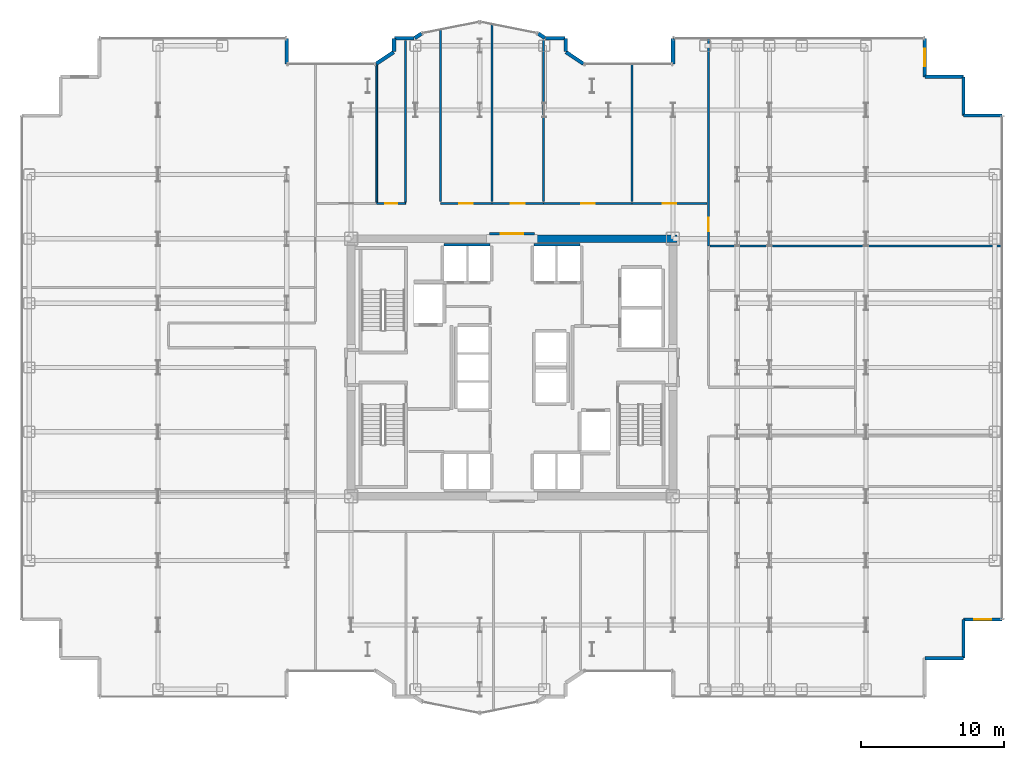
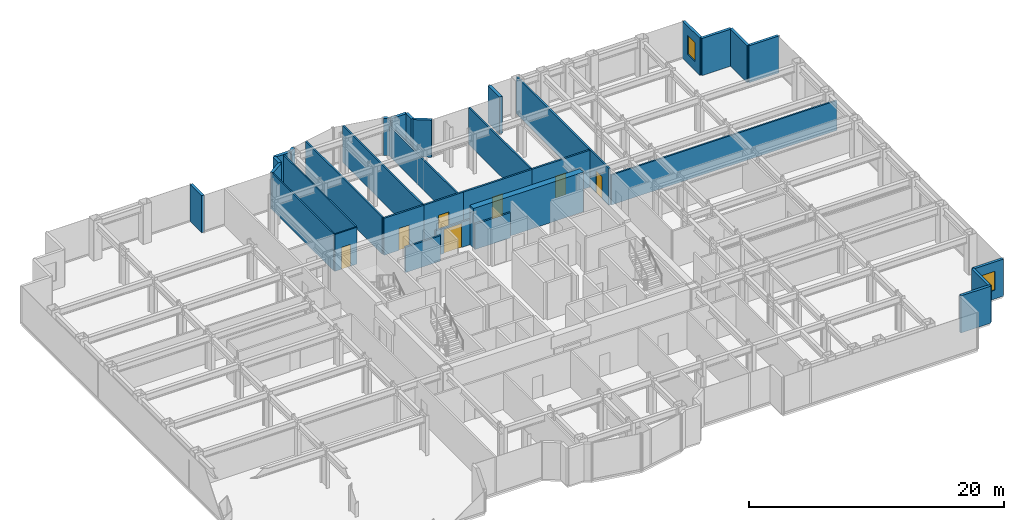
# One storey, part 24 of 26: 34 walls, 7 doors, 2 windows, 9 openings.
"""IFC4 building model written with IfcOpenShell, lengths in metres."""

from ifc_helpers import new_model, si_unit, direction, frame, frame_2d, origin, place, context, subcontext, project, spatial, rectangle, extrude, source, transform, mapped, material, layer, layer_set, type_object, element, fill, save


model = new_model("IFC4")

# Units and contexts
model_context = context("Model", 3, precision=1e-05, world=origin(), true_north=direction((0.0, 1.0)))
body_context = subcontext(model_context, "Body", "Model", "MODEL_VIEW")
ifc_project = project(units=[si_unit("LENGTHUNIT", "METRE"), si_unit("AREAUNIT", "SQUARE_METRE"), si_unit("VOLUMEUNIT", "CUBIC_METRE"), si_unit("PLANEANGLEUNIT", "RADIAN"), si_unit("MASSUNIT", "GRAM", prefix="KILO")], contexts=[model_context])

# Site, building, storey
site_placement = place(None, origin())
site = spatial("IfcSite", under=ifc_project, at=site_placement, CompositionType="ELEMENT")
building_placement = place(site_placement, origin())
building = spatial("IfcBuilding", under=site, at=building_placement, Name="Nefas-Gora Pilgrimage Tower", CompositionType="ELEMENT")
storey_placement = place(building_placement, frame((0.0, 0.0, 132.60009765625)))
storey = spatial("IfcBuildingStorey", under=building, at=storey_placement, Name="L32", CompositionType="ELEMENT", Elevation=132.60009765625)

# Walls
ifc_material_1 = material(Name="Concrete C60/75", Category="concrete")
ifc_layer_1 = layer(ifc_material_1, 0.550048828125)
ifc_layer_set_1 = layer_set([ifc_layer_1], Name="Concrete C60/75")
wall_type_1 = type_object("IfcWallType", Name="SW-CORE-550", PredefinedType="SHEAR", material=ifc_layer_set_1)
shared_shape_1 = source(origin(), body_context, "Body", "SweptSolid", [
    extrude(rectangle(XDim=9.974853515625, YDim=0.550048828125, at=frame_2d((4.9873046875, 0.0))), origin(), (0.0, 0.0, 1.0), 3.7998046875),
])
wall_1_placement = place(storey_placement, frame((1.550048828125, 9.0, 0.0), z_axis=(0.0, 0.0, 1.0), x_axis=(1.0, 0.0, 0.0)))
element("IfcWall", 1, at=wall_1_placement, inside=storey, type_object=wall_type_1, Name="L32 Core Shear Wall N-East", PredefinedType="SHEAR", context=body_context, shape_type="MappedRepresentation", body=[
    mapped(shared_shape_1, transform((0.0, 0.0, 0.0), x_axis=(1.0, 0.0, 0.0), y_axis=(0.0, 1.0, 0.0), z_axis=(0.0, 0.0, 1.0), scale=1.0)),
])
ifc_material_2 = material(Name="Precast concrete C40/50", Category="concrete")
ifc_layer_2 = layer(ifc_material_2, 0.260009765625)
ifc_layer_set_2 = layer_set([ifc_layer_2], Name="Precast concrete C40/50")
wall_type_2 = type_object("IfcWallType", Name="EW-PORTAL-260", PredefinedType="SOLIDWALL", material=ifc_layer_set_2)
shared_shape_2 = source(origin(), body_context, "Body", "SweptSolid", [
    extrude(rectangle(XDim=1.800048828125, YDim=0.260009765625, at=frame_2d((0.89990234375, 0.0))), origin(), (0.0, 0.0, 1.0), 3.5498046875),
])
for number, where, z_axis, x_axis, name in (
    (2, (11.25, 23.02001953125, 0.0), (0.0, 0.0, 1.0), (0.0, -1.0, 0.0), "L32 Lobe Shoulder Precast Spandrel Pier 10"),
    (3, (-15.75, 21.219970703125, 0.0), (0.0, 0.0, 1.0), (0.0, 1.0, 0.0), "L32 Lobe Shoulder Precast Spandrel Pier 19"),
):
    element("IfcWall", number, at=place(storey_placement, frame(where, z_axis=z_axis, x_axis=x_axis)), inside=storey, type_object=wall_type_2, Name=name, PredefinedType="SOLIDWALL", context=body_context, shape_type="MappedRepresentation", body=[
        mapped(shared_shape_2, transform((0.0, 0.0, 0.0), x_axis=(1.0, 0.0, 0.0), y_axis=(0.0, 1.0, 0.0), z_axis=(0.0, 0.0, 1.0), scale=1.0)),
    ])
ifc_material_3 = material(Name="Precast concrete C45/55", Category="concrete")
ifc_layer_3 = layer(ifc_material_3, 0.239990234375)
ifc_layer_set_3 = layer_set([ifc_layer_3], Name="Precast concrete C45/55")
wall_type_3 = type_object("IfcWallType", Name="EW-SERR-240", PredefinedType="SHEAR", material=ifc_layer_set_3)
shared_shape_3 = source(origin(), body_context, "Body", "SweptSolid", [
    extrude(rectangle(XDim=2.699951171875, YDim=0.239990234375, at=frame_2d((1.35009765625, 0.0))), origin(), (0.0, 0.0, 1.0), 3.5498046875),
])
for number, where, z_axis, x_axis, name in (
    (4, (28.8701171875, -20.320068359375, 0.0), (0.0, 0.0, 1.0), (1.0, 0.0, 0.0), "L32 Serrated Corner Shear Pier Wall 3"),
    (5, (31.570068359375, -20.320068359375, 0.0), (0.0, 0.0, 1.0), (0.0, 1.0, 0.0), "L32 Serrated Corner Shear Pier Wall 4"),
):
    element("IfcWall", number, at=place(storey_placement, frame(where, z_axis=z_axis, x_axis=x_axis)), inside=storey, type_object=wall_type_3, Name=name, PredefinedType="SHEAR", context=body_context, shape_type="MappedRepresentation", body=[
        mapped(shared_shape_3, transform((0.0, 0.0, 0.0), x_axis=(1.0, 0.0, 0.0), y_axis=(0.0, 1.0, 0.0), z_axis=(0.0, 0.0, 1.0), scale=1.0)),
    ])

# Wall, opening, window
wall_2_placement = place(storey_placement, frame((31.570068359375, -17.6201171875, 0.0), z_axis=(0.0, 0.0, 1.0), x_axis=(1.0, 0.0, 0.0)))
wall_2 = element("IfcWall", 6, at=wall_2_placement, inside=storey, type_object=wall_type_3, Name="L32 Serrated Corner Shear Pier Wall 5", PredefinedType="SHEAR", context=body_context, shape_type="MappedRepresentation", body=[
    mapped(shared_shape_3, transform((0.0, 0.0, 0.0), x_axis=(1.0, 0.0, 0.0), y_axis=(0.0, 1.0, 0.0), z_axis=(0.0, 0.0, 1.0), scale=1.0)),
])
opening_1_placement = place(wall_2_placement, frame((0.75, 0.0, 0.85009765625)))
opening_1 = element("IfcOpeningElement", 7, at=opening_1_placement, cuts=wall_2, Name="Opening W-V1", PredefinedType="OPENING", context=body_context, shape_type="SweptSolid", body=[
    extrude(rectangle(XDim=1.199951171875, YDim=1.800048828125, at=frame_2d((0.60009765625, 0.89990234375))), frame((0.0, 0.1298828125, 0.0), z_axis=(0.0, -1.0, 0.0), x_axis=(1.0, 0.0, 0.0)), (0.0, 0.0, 1.0), 0.260009765625),
])
ifc_material_4 = material(Name="Dark ceramic-fritted operable aluminium-glass window", Category="aluminium")
window_type = type_object("IfcWindowType", Name="WIN-VENT-1200x1800", PartitioningType="SINGLE_PANEL", PredefinedType="WINDOW", material=ifc_material_4)
shared_shape_4 = source(origin(), body_context, "Body", "SweptSolid", [
    extrude(rectangle(XDim=1.199951171875, YDim=1.800048828125, at=frame_2d((0.60009765625, 0.89990234375))), frame((0.0, 0.030029296875, 0.0), z_axis=(0.0, -1.0, 0.0), x_axis=(1.0, 0.0, 0.0)), (0.0, 0.0, 1.0), 0.06005859375),
])
window_1_placement = place(opening_1_placement, origin())
window_1 = element("IfcWindow", 8, at=window_1_placement, inside=storey, type_object=window_type, Name="L32 Operable Parallel-Outswing Window 5", OverallHeight=1.800048828125, OverallWidth=1.199951171875, PartitioningType="SINGLE_PANEL", PredefinedType="WINDOW", context=body_context, shape_type="MappedRepresentation", body=[
    mapped(shared_shape_4, transform((0.0, 0.0, 0.0), x_axis=(1.0, 0.0, 0.0), y_axis=(0.0, 1.0, 0.0), z_axis=(0.0, 0.0, 1.0), scale=1.0)),
])
fill(opening_1, window_1)

# Walls
for number, where, z_axis, x_axis, name in (
    (9, (34.27001953125, 17.6201171875, 0.0), (0.0, 0.0, 1.0), (-1.0, 0.0, 0.0), "L32 Serrated Corner Shear Pier Wall 6"),
    (10, (31.570068359375, 17.6201171875, 0.0), (0.0, 0.0, 1.0), (0.0, 1.0, 0.0), "L32 Serrated Corner Shear Pier Wall 7"),
    (11, (31.570068359375, 20.320068359375, 0.0), (0.0, 0.0, 1.0), (-1.0, 0.0, 0.0), "L32 Serrated Corner Shear Pier Wall 8"),
):
    element("IfcWall", number, at=place(storey_placement, frame(where, z_axis=z_axis, x_axis=x_axis)), inside=storey, type_object=wall_type_3, Name=name, PredefinedType="SHEAR", context=body_context, shape_type="MappedRepresentation", body=[
        mapped(shared_shape_3, transform((0.0, 0.0, 0.0), x_axis=(1.0, 0.0, 0.0), y_axis=(0.0, 1.0, 0.0), z_axis=(0.0, 0.0, 1.0), scale=1.0)),
    ])

# Wall, opening, window
wall_3_placement = place(storey_placement, frame((28.8701171875, 20.320068359375, 0.0), z_axis=(0.0, 0.0, 1.0), x_axis=(0.0, 1.0, 0.0)))
wall_3 = element("IfcWall", 12, at=wall_3_placement, inside=storey, type_object=wall_type_3, Name="L32 Serrated Corner Shear Pier Wall 9", PredefinedType="SHEAR", context=body_context, shape_type="MappedRepresentation", body=[
    mapped(shared_shape_3, transform((0.0, 0.0, 0.0), x_axis=(1.0, 0.0, 0.0), y_axis=(0.0, 1.0, 0.0), z_axis=(0.0, 0.0, 1.0), scale=1.0)),
])
opening_2_placement = place(wall_3_placement, frame((0.75, 0.0, 0.85009765625)))
opening_2 = element("IfcOpeningElement", 13, at=opening_2_placement, cuts=wall_3, Name="Opening W-V1", PredefinedType="OPENING", context=body_context, shape_type="SweptSolid", body=[
    extrude(rectangle(XDim=1.199951171875, YDim=1.800048828125, at=frame_2d((0.60009765625, 0.89990234375))), frame((0.0, 0.1298828125, 0.0), z_axis=(0.0, -1.0, 0.0), x_axis=(1.0, 0.0, 0.0)), (0.0, 0.0, 1.0), 0.260009765625),
])
window_2_placement = place(opening_2_placement, origin())
window_2 = element("IfcWindow", 14, at=window_2_placement, inside=storey, type_object=window_type, Name="L32 Operable Parallel-Outswing Window 9", OverallHeight=1.800048828125, OverallWidth=1.199951171875, PartitioningType="SINGLE_PANEL", PredefinedType="WINDOW", context=body_context, shape_type="MappedRepresentation", body=[
    mapped(shared_shape_4, transform((0.0, 0.0, 0.0), x_axis=(1.0, 0.0, 0.0), y_axis=(0.0, 1.0, 0.0), z_axis=(0.0, 0.0, 1.0), scale=1.0)),
])
fill(opening_2, window_2)

# Walls
shared_shape_5 = source(origin(), body_context, "Body", "SweptSolid", [
    extrude(rectangle(XDim=1.468994140625, YDim=0.260009765625, at=frame_2d((0.734375, 0.0))), origin(), (0.0, 0.0, 1.0), 3.5498046875),
])
for number, where, z_axis, x_axis, name in (
    (15, (4.99462890625, 21.235595703125, 0.0), (0.0, 0.0, 1.0), (-0.831461760506, 0.555581983884, 0.0), "L32 Lobe Shoulder Precast Spandrel Pier 11"),
    (16, (-8.273193359375, 22.0517578125, 0.0), (0.0, 0.0, 1.0), (-0.831461760506, -0.555581983884, 0.0), "L32 Lobe Shoulder Precast Spandrel Pier 18"),
):
    element("IfcWall", number, at=place(storey_placement, frame(where, z_axis=z_axis, x_axis=x_axis)), inside=storey, type_object=wall_type_2, Name=name, PredefinedType="SOLIDWALL", context=body_context, shape_type="MappedRepresentation", body=[
        mapped(shared_shape_5, transform((0.0, 0.0, 0.0), x_axis=(1.0, 0.0, 0.0), y_axis=(0.0, 1.0, 0.0), z_axis=(0.0, 0.0, 1.0), scale=1.0)),
    ])
shared_shape_6 = source(origin(), body_context, "Body", "SweptSolid", [
    extrude(rectangle(XDim=0.896728515625, YDim=0.260009765625, at=frame_2d((0.4482421875, 0.0))), origin(), (0.0, 0.0, 1.0), 3.5498046875),
])
for number, where, z_axis, x_axis, name in (
    (17, (3.75, 22.09521484375, 0.0), (0.0, 0.0, 1.0), (0.0, 1.0, 0.0), "L32 Lobe Shoulder Precast Spandrel Pier 12"),
    (18, (-8.25, 22.991943359375, 0.0), (0.0, 0.0, 1.0), (0.0, -1.0, 0.0), "L32 Lobe Shoulder Precast Spandrel Pier 17"),
):
    element("IfcWall", number, at=place(storey_placement, frame(where, z_axis=z_axis, x_axis=x_axis)), inside=storey, type_object=wall_type_2, Name=name, PredefinedType="SOLIDWALL", context=body_context, shape_type="MappedRepresentation", body=[
        mapped(shared_shape_6, transform((0.0, 0.0, 0.0), x_axis=(1.0, 0.0, 0.0), y_axis=(0.0, 1.0, 0.0), z_axis=(0.0, 0.0, 1.0), scale=1.0)),
    ])
shared_shape_7 = source(origin(), body_context, "Body", "SweptSolid", [
    extrude(rectangle(XDim=1.369873046875, YDim=0.260009765625, at=frame_2d((0.68505859375, 0.0))), origin(), (0.0, 0.0, 1.0), 3.5498046875),
])
for number, where, z_axis, x_axis, name in (
    (19, (3.721923828125, 23.02001953125, 0.0), (0.0, 0.0, 1.0), (-1.0, 0.0, 0.0), "L32 Lobe Shoulder Precast Spandrel Pier 13"),
    (20, (-6.85205078125, 23.02001953125, 0.0), (0.0, 0.0, 1.0), (-1.0, 0.0, 0.0), "L32 Lobe Shoulder Precast Spandrel Pier 16"),
):
    element("IfcWall", number, at=place(storey_placement, frame(where, z_axis=z_axis, x_axis=x_axis)), inside=storey, type_object=wall_type_2, Name=name, PredefinedType="SOLIDWALL", context=body_context, shape_type="MappedRepresentation", body=[
        mapped(shared_shape_7, transform((0.0, 0.0, 0.0), x_axis=(1.0, 0.0, 0.0), y_axis=(0.0, 1.0, 0.0), z_axis=(0.0, 0.0, 1.0), scale=1.0)),
    ])
shared_shape_8 = source(origin(), body_context, "Body", "SweptSolid", [
    extrude(rectangle(XDim=0.5654296875, YDim=0.260009765625, at=frame_2d((0.28271484375, 0.0))), origin(), (0.0, 0.0, 1.0), 3.5498046875),
])
for number, where, z_axis, x_axis, name in (
    (21, (2.30078125, 23.03564453125, 0.0), (0.0, 0.0, 1.0), (-0.831651492666, 0.555297933317, 0.0), "L32 Lobe Shoulder Precast Spandrel Pier 14"),
    (22, (-6.33056640625, 23.349609375, 0.0), (0.0, 0.0, 1.0), (-0.831651492666, -0.555297933317, 0.0), "L32 Lobe Shoulder Precast Spandrel Pier 15"),
):
    element("IfcWall", number, at=place(storey_placement, frame(where, z_axis=z_axis, x_axis=x_axis)), inside=storey, type_object=wall_type_2, Name=name, PredefinedType="SOLIDWALL", context=body_context, shape_type="MappedRepresentation", body=[
        mapped(shared_shape_8, transform((0.0, 0.0, 0.0), x_axis=(1.0, 0.0, 0.0), y_axis=(0.0, 1.0, 0.0), z_axis=(0.0, 0.0, 1.0), scale=1.0)),
    ])
ifc_material_5 = material(Name="Gypsum acoustic stud partition")
ifc_layer_4 = layer(ifc_material_5, 0.159912109375)
ifc_layer_set_4 = layer_set([ifc_layer_4], Name="Gypsum acoustic stud partition")
wall_type_4 = type_object("IfcWallType", Name="IW-CORR-160", PredefinedType="PARTITIONING", material=ifc_layer_set_4)
shared_shape_9 = source(origin(), body_context, "Body", "SweptSolid", [
    extrude(rectangle(XDim=3.199951171875, YDim=0.159912109375, at=frame_2d((1.60009765625, 0.0))), origin(), (0.0, 0.0, 1.0), 2.4248046875),
])
for number, where, z_axis, x_axis, name in (
    (23, (-1.550048828125, 8.580078125, 0.0), (0.0, 0.0, 1.0), (-1.0, 0.0, 0.0), "L32 Hoistway Wall PL1-W-N"),
    (24, (4.75, 8.580078125, 0.0), (0.0, 0.0, 1.0), (-1.0, 0.0, 0.0), "L32 Hoistway Wall PL1-E-N"),
):
    element("IfcWall", number, at=place(storey_placement, frame(where, z_axis=z_axis, x_axis=x_axis)), inside=storey, type_object=wall_type_4, Name=name, PredefinedType="PARTITIONING", context=body_context, shape_type="MappedRepresentation", body=[
        mapped(shared_shape_9, transform((0.0, 0.0, 0.0), x_axis=(1.0, 0.0, 0.0), y_axis=(0.0, 1.0, 0.0), z_axis=(0.0, 0.0, 1.0), scale=1.0)),
    ])

# Wall, opening, door
ifc_material_6 = material(Name="Moisture-resistant fire-rated gypsum partition")
ifc_layer_5 = layer(ifc_material_6, 0.1201171875)
ifc_layer_set_5 = layer_set([ifc_layer_5], Name="Moisture-resistant fire-rated gypsum partition")
wall_type_5 = type_object("IfcWallType", Name="IW-WET-120", PredefinedType="PLUMBINGWALL", material=ifc_layer_set_5)
shared_shape_10 = source(origin(), body_context, "Body", "SweptSolid", [
    extrude(rectangle(XDim=2.02001953125, YDim=0.1201171875, at=frame_2d((1.010009765625, 0.0))), origin(), (0.0, 0.0, 1.0), 3.534912109375),
])
wall_4_placement = place(storey_placement, frame((-9.4599609375, 11.469970703125, 0.0), z_axis=(0.0, 0.0, 1.0), x_axis=(1.0, 0.0, 0.0)))
wall_4 = element("IfcWall", 25, at=wall_4_placement, inside=storey, type_object=wall_type_5, Name="L32 Accessible Unisex WC Partition Wall 20", PredefinedType="PLUMBINGWALL", context=body_context, shape_type="MappedRepresentation", body=[
    mapped(shared_shape_10, transform((0.0, 0.0, 0.0), x_axis=(1.0, 0.0, 0.0), y_axis=(0.0, 1.0, 0.0), z_axis=(0.0, 0.0, 1.0), scale=1.0)),
])
opening_3_placement = place(wall_4_placement, frame((0.5849609375, 0.0, 0.0)))
opening_3 = element("IfcOpeningElement", 26, at=opening_3_placement, cuts=wall_4, Name="Opening ID-BT1", PredefinedType="OPENING", context=body_context, shape_type="SweptSolid", body=[
    extrude(rectangle(XDim=0.85009765625, YDim=2.10009765625, at=frame_2d((0.425048828125, 1.050048828125))), frame((0.0, 0.070068359375, 0.0), z_axis=(0.0, -1.0, 0.0), x_axis=(1.0, 0.0, 0.0)), (0.0, 0.0, 1.0), 0.14013671875),
])
ifc_material_7 = material(Name="Moisture-resistant fire-rated timber door", Category="wood")
door_type_1 = type_object("IfcDoorType", Name="DR-INT-BATH-850", OperationType="NOTDEFINED", PredefinedType="DOOR", material=ifc_material_7)
shared_shape_11 = source(origin(), body_context, "Body", "SweptSolid", [
    extrude(rectangle(XDim=0.85009765625, YDim=2.10009765625, at=frame_2d((0.425048828125, 1.050048828125))), frame((0.0, 0.02490234375, 0.0), z_axis=(0.0, -1.0, 0.0), x_axis=(1.0, 0.0, 0.0)), (0.0, 0.0, 1.0), 0.050048828125),
])
door_1_placement = place(opening_3_placement, origin())
door_1 = element("IfcDoor", 27, at=door_1_placement, inside=storey, type_object=door_type_1, Name="L32 Accessible Unisex WC Door 8", OperationType="SINGLE_SWING_LEFT", OverallHeight=2.10009765625, OverallWidth=0.85009765625, PredefinedType="DOOR", context=body_context, shape_type="MappedRepresentation", body=[
    mapped(shared_shape_11, transform((0.0, 0.0, 0.0), x_axis=(1.0, 0.0, 0.0), y_axis=(0.0, 1.0, 0.0), z_axis=(0.0, 0.0, 1.0), scale=1.0)),
])
fill(opening_3, door_1)

# Walls
shared_shape_12 = source(origin(), body_context, "Body", "SweptSolid", [
    extrude(rectangle(XDim=11.280029296875, YDim=0.1201171875, at=frame_2d((5.64013671875, 0.0))), origin(), (0.0, 0.0, 1.0), 3.534912109375),
])
wall_5_placement = place(storey_placement, frame((-7.449951171875, 11.570068359375, 0.0), z_axis=(0.0, 0.0, 1.0), x_axis=(0.0, 1.0, 0.0)))
element("IfcWall", 28, at=wall_5_placement, inside=storey, type_object=wall_type_5, Name="L32 Accessible Unisex WC Partition Wall 21", PredefinedType="PLUMBINGWALL", context=body_context, shape_type="MappedRepresentation", body=[
    mapped(shared_shape_12, transform((0.0, 0.0, 0.0), x_axis=(1.0, 0.0, 0.0), y_axis=(0.0, 1.0, 0.0), z_axis=(0.0, 0.0, 1.0), scale=1.0)),
])
shared_shape_13 = source(origin(), body_context, "Body", "SweptSolid", [
    extrude(rectangle(XDim=9.586669921875, YDim=0.1201171875, at=frame_2d((4.79345703125, 0.0))), origin(), (0.0, 0.0, 1.0), 3.534912109375),
])
wall_6_placement = place(storey_placement, frame((-9.449951171875, 11.570068359375, 0.0), z_axis=(0.0, 0.0, 1.0), x_axis=(0.0, 1.0, 0.0)))
element("IfcWall", 29, at=wall_6_placement, inside=storey, type_object=wall_type_5, Name="L32 Accessible Unisex WC Partition Wall 22", PredefinedType="PLUMBINGWALL", context=body_context, shape_type="MappedRepresentation", body=[
    mapped(shared_shape_13, transform((0.0, 0.0, 0.0), x_axis=(1.0, 0.0, 0.0), y_axis=(0.0, 1.0, 0.0), z_axis=(0.0, 0.0, 1.0), scale=1.0)),
])

# Wall, opening, door
shared_shape_14 = source(origin(), body_context, "Body", "SweptSolid", [
    extrude(rectangle(XDim=14.544921875, YDim=0.159912109375, at=frame_2d((7.2724609375, 0.0))), origin(), (0.0, 0.0, 1.0), 3.534912109375),
])
wall_7_placement = place(storey_placement, frame((13.739990234375, 8.4951171875, 0.0), z_axis=(0.0, 0.0, 1.0), x_axis=(0.0, 1.0, 0.0)))
wall_7 = element("IfcWall", 30, at=wall_7_placement, inside=storey, type_object=wall_type_4, Name="L32 Pilgrim Contemplative Lounge Partition Wall 42", PredefinedType="PARTITIONING", context=body_context, shape_type="MappedRepresentation", body=[
    mapped(shared_shape_14, transform((0.0, 0.0, 0.0), x_axis=(1.0, 0.0, 0.0), y_axis=(0.0, 1.0, 0.0), z_axis=(0.0, 0.0, 1.0), scale=1.0)),
])
opening_4_placement = place(wall_7_placement, frame((1.032470703125, 0.0, 0.0)))
opening_4 = element("IfcOpeningElement", 31, at=opening_4_placement, cuts=wall_7, Name="Opening ID-GR1", PredefinedType="OPENING", context=body_context, shape_type="SweptSolid", body=[
    extrude(rectangle(XDim=0.949951171875, YDim=2.10009765625, at=frame_2d((0.47509765625, 1.050048828125))), frame((0.0, 0.08984375, 0.0), z_axis=(0.0, -1.0, 0.0), x_axis=(1.0, 0.0, 0.0)), (0.0, 0.0, 1.0), 0.179931640625),
])
ifc_material_8 = material(Name="Solid core oak fire-rated guest entrance door")
door_type_2 = type_object("IfcDoorType", Name="DR-INT-GUEST-950", OperationType="NOTDEFINED", PredefinedType="DOOR", material=ifc_material_8)
shared_shape_15 = source(origin(), body_context, "Body", "SweptSolid", [
    extrude(rectangle(XDim=0.949951171875, YDim=2.10009765625, at=frame_2d((0.47509765625, 1.050048828125))), frame((0.0, 0.02490234375, 0.0), z_axis=(0.0, -1.0, 0.0), x_axis=(1.0, 0.0, 0.0)), (0.0, 0.0, 1.0), 0.050048828125),
])
door_2_placement = place(opening_4_placement, origin())
door_2 = element("IfcDoor", 32, at=door_2_placement, inside=storey, type_object=door_type_2, Name="L32 Pilgrim Contemplative Lounge Door 17", OperationType="SINGLE_SWING_RIGHT", OverallHeight=2.10009765625, OverallWidth=0.949951171875, PredefinedType="DOOR", context=body_context, shape_type="MappedRepresentation", body=[
    mapped(shared_shape_15, transform((0.0, 0.0, 0.0), x_axis=(1.0, 0.0, 0.0), y_axis=(0.0, 1.0, 0.0), z_axis=(0.0, 0.0, 1.0), scale=1.0)),
])
fill(opening_4, door_2)

# Walls
ifc_material_9 = material(Name="Gypsum twin-stud partition")
ifc_layer_6 = layer(ifc_material_9, 0.139892578125)
ifc_layer_set_6 = layer_set([ifc_layer_6], Name="Gypsum twin-stud partition")
wall_type_6 = type_object("IfcWallType", Name="IW-UNIT-140", PredefinedType="PARTITIONING", material=ifc_layer_set_6)
shared_shape_16 = source(origin(), body_context, "Body", "SweptSolid", [
    extrude(rectangle(XDim=12.056640625, YDim=0.139892578125, at=frame_2d((6.0283203125, 0.0))), origin(), (0.0, 0.0, 1.0), 3.534912109375),
])
wall_8_placement = place(storey_placement, frame((-4.9951171875, 11.590087890625, 0.0), z_axis=(0.0, 0.0, 1.0), x_axis=(0.0, 1.0, 0.0)))
element("IfcWall", 33, at=wall_8_placement, inside=storey, type_object=wall_type_6, Name="L32 Pilgrim Contemplative Lounge Partition Wall 46", PredefinedType="PARTITIONING", context=body_context, shape_type="MappedRepresentation", body=[
    mapped(shared_shape_16, transform((0.0, 0.0, 0.0), x_axis=(1.0, 0.0, 0.0), y_axis=(0.0, 1.0, 0.0), z_axis=(0.0, 0.0, 1.0), scale=1.0)),
])
shared_shape_17 = source(origin(), body_context, "Body", "SweptSolid", [
    extrude(rectangle(XDim=9.64990234375, YDim=0.139892578125, at=frame_2d((4.824951171875, 0.0))), origin(), (0.0, 0.0, 1.0), 3.534912109375),
])
wall_9_placement = place(storey_placement, frame((8.39501953125, 11.590087890625, 0.0), z_axis=(0.0, 0.0, 1.0), x_axis=(0.0, 1.0, 0.0)))
element("IfcWall", 34, at=wall_9_placement, inside=storey, type_object=wall_type_6, Name="L32 Pilgrim Contemplative Lounge Partition Wall 50", PredefinedType="PARTITIONING", context=body_context, shape_type="MappedRepresentation", body=[
    mapped(shared_shape_17, transform((0.0, 0.0, 0.0), x_axis=(1.0, 0.0, 0.0), y_axis=(0.0, 1.0, 0.0), z_axis=(0.0, 0.0, 1.0), scale=1.0)),
])

# Wall, opening, door
shared_shape_18 = source(origin(), body_context, "Body", "SweptSolid", [
    extrude(rectangle(XDim=3.60498046875, YDim=0.159912109375, at=frame_2d((1.802490234375, 0.0))), origin(), (0.0, 0.0, 1.0), 3.534912109375),
])
wall_10_placement = place(storey_placement, frame((-5.0048828125, 11.469970703125, 0.0), z_axis=(0.0, 0.0, 1.0), x_axis=(1.0, 0.0, 0.0)))
wall_10 = element("IfcWall", 35, at=wall_10_placement, inside=storey, type_object=wall_type_4, Name="L32 Pilgrim Contemplative Lounge Partition Wall 44", PredefinedType="PARTITIONING", context=body_context, shape_type="MappedRepresentation", body=[
    mapped(shared_shape_18, transform((0.0, 0.0, 0.0), x_axis=(1.0, 0.0, 0.0), y_axis=(0.0, 1.0, 0.0), z_axis=(0.0, 0.0, 1.0), scale=1.0)),
])
opening_5_placement = place(wall_10_placement, frame((1.327392578125, 0.0, 0.0)))
opening_5 = element("IfcOpeningElement", 36, at=opening_5_placement, cuts=wall_10, Name="Opening ID-GR1", PredefinedType="OPENING", context=body_context, shape_type="SweptSolid", body=[
    extrude(rectangle(XDim=0.949951171875, YDim=2.10009765625, at=frame_2d((0.47509765625, 1.050048828125))), frame((0.0, 0.08984375, 0.0), z_axis=(0.0, -1.0, 0.0), x_axis=(1.0, 0.0, 0.0)), (0.0, 0.0, 1.0), 0.179931640625),
])
door_3_placement = place(opening_5_placement, origin())
door_3 = element("IfcDoor", 37, at=door_3_placement, inside=storey, type_object=door_type_2, Name="L32 Pilgrim Contemplative Lounge Door 19", OperationType="SINGLE_SWING_RIGHT", OverallHeight=2.10009765625, OverallWidth=0.949951171875, PredefinedType="DOOR", context=body_context, shape_type="MappedRepresentation", body=[
    mapped(shared_shape_15, transform((0.0, 0.0, 0.0), x_axis=(1.0, 0.0, 0.0), y_axis=(0.0, 1.0, 0.0), z_axis=(0.0, 0.0, 1.0), scale=1.0)),
])
fill(opening_5, door_3)

wall_11_placement = place(storey_placement, frame((-1.39990234375, 11.469970703125, 0.0), z_axis=(0.0, 0.0, 1.0), x_axis=(1.0, 0.0, 0.0)))
wall_11 = element("IfcWall", 38, at=wall_11_placement, inside=storey, type_object=wall_type_4, Name="L32 Pilgrim Contemplative Lounge Partition Wall 47", PredefinedType="PARTITIONING", context=body_context, shape_type="MappedRepresentation", body=[
    mapped(shared_shape_18, transform((0.0, 0.0, 0.0), x_axis=(1.0, 0.0, 0.0), y_axis=(0.0, 1.0, 0.0), z_axis=(0.0, 0.0, 1.0), scale=1.0)),
])
opening_6_placement = place(wall_11_placement, frame((1.327392578125, 0.0, 0.0)))
opening_6 = element("IfcOpeningElement", 39, at=opening_6_placement, cuts=wall_11, Name="Opening ID-GR1", PredefinedType="OPENING", context=body_context, shape_type="SweptSolid", body=[
    extrude(rectangle(XDim=0.949951171875, YDim=2.10009765625, at=frame_2d((0.47509765625, 1.050048828125))), frame((0.0, 0.08984375, 0.0), z_axis=(0.0, -1.0, 0.0), x_axis=(1.0, 0.0, 0.0)), (0.0, 0.0, 1.0), 0.179931640625),
])
door_4_placement = place(opening_6_placement, origin())
door_4 = element("IfcDoor", 40, at=door_4_placement, inside=storey, type_object=door_type_2, Name="L32 Pilgrim Contemplative Lounge Door 20", OperationType="SINGLE_SWING_LEFT", OverallHeight=2.10009765625, OverallWidth=0.949951171875, PredefinedType="DOOR", context=body_context, shape_type="MappedRepresentation", body=[
    mapped(shared_shape_15, transform((0.0, 0.0, 0.0), x_axis=(1.0, 0.0, 0.0), y_axis=(0.0, 1.0, 0.0), z_axis=(0.0, 0.0, 1.0), scale=1.0)),
])
fill(opening_6, door_4)

shared_shape_19 = source(origin(), body_context, "Body", "SweptSolid", [
    extrude(rectangle(XDim=5.22509765625, YDim=0.159912109375, at=frame_2d((2.612548828125, 0.0))), origin(), (0.0, 0.0, 1.0), 3.534912109375),
])
wall_12_placement = place(storey_placement, frame((8.39501953125, 11.469970703125, 0.0), z_axis=(0.0, 0.0, 1.0), x_axis=(1.0, 0.0, 0.0)))
wall_12 = element("IfcWall", 41, at=wall_12_placement, inside=storey, type_object=wall_type_4, Name="L32 Pilgrim Contemplative Lounge Partition Wall 51", PredefinedType="PARTITIONING", context=body_context, shape_type="MappedRepresentation", body=[
    mapped(shared_shape_19, transform((0.0, 0.0, 0.0), x_axis=(1.0, 0.0, 0.0), y_axis=(0.0, 1.0, 0.0), z_axis=(0.0, 0.0, 1.0), scale=1.0)),
])
opening_7_placement = place(wall_12_placement, frame((2.137451171875, 0.0, 0.0)))
opening_7 = element("IfcOpeningElement", 42, at=opening_7_placement, cuts=wall_12, Name="Opening ID-GR1", PredefinedType="OPENING", context=body_context, shape_type="SweptSolid", body=[
    extrude(rectangle(XDim=0.949951171875, YDim=2.10009765625, at=frame_2d((0.47509765625, 1.050048828125))), frame((0.0, 0.08984375, 0.0), z_axis=(0.0, -1.0, 0.0), x_axis=(1.0, 0.0, 0.0)), (0.0, 0.0, 1.0), 0.179931640625),
])
door_5_placement = place(opening_7_placement, origin())
door_5 = element("IfcDoor", 43, at=door_5_placement, inside=storey, type_object=door_type_2, Name="L32 Pilgrim Contemplative Lounge Door 22", OperationType="SINGLE_SWING_LEFT", OverallHeight=2.10009765625, OverallWidth=0.949951171875, PredefinedType="DOOR", context=body_context, shape_type="MappedRepresentation", body=[
    mapped(shared_shape_15, transform((0.0, 0.0, 0.0), x_axis=(1.0, 0.0, 0.0), y_axis=(0.0, 1.0, 0.0), z_axis=(0.0, 0.0, 1.0), scale=1.0)),
])
fill(opening_7, door_5)

shared_shape_20 = source(origin(), body_context, "Body", "SweptSolid", [
    extrude(rectangle(XDim=3.16015625, YDim=0.159912109375, at=frame_2d((1.580078125, 0.0))), origin(), (0.0, 0.0, 1.0), 2.4248046875),
])
wall_13_placement = place(storey_placement, frame((-1.580078125, 9.35009765625, 0.0), z_axis=(0.0, 0.0, 1.0), x_axis=(1.0, 0.0, 0.0)))
wall_13 = element("IfcWall", 44, at=wall_13_placement, inside=storey, type_object=wall_type_4, Name="L32 Central Lift Lobby North Portal Wall 13", PredefinedType="PARTITIONING", context=body_context, shape_type="MappedRepresentation", body=[
    mapped(shared_shape_20, transform((0.0, 0.0, 0.0), x_axis=(1.0, 0.0, 0.0), y_axis=(0.0, 1.0, 0.0), z_axis=(0.0, 0.0, 1.0), scale=1.0)),
])
opening_8_placement = place(wall_13_placement, frame((0.780029296875, 0.0, 0.0)))
opening_8 = element("IfcOpeningElement", 45, at=opening_8_placement, cuts=wall_13, Name="Opening ID-HL1", PredefinedType="OPENING", context=body_context, shape_type="SweptSolid", body=[
    extrude(rectangle(XDim=1.60009765625, YDim=2.300048828125, at=frame_2d((0.800048828125, 1.14990234375))), frame((0.0, 0.08984375, 0.0), z_axis=(0.0, -1.0, 0.0), x_axis=(1.0, 0.0, 0.0)), (0.0, 0.0, 1.0), 0.179931640625),
])
ifc_material_10 = material(Name="Double acoustic timber assembly hall door", Category="wood")
door_type_3 = type_object("IfcDoorType", Name="DR-INT-HALL-1600", OperationType="DOUBLE_DOOR_SINGLE_SWING", PredefinedType="DOOR", material=ifc_material_10)
shared_shape_21 = source(origin(), body_context, "Body", "SweptSolid", [
    extrude(rectangle(XDim=1.60009765625, YDim=2.300048828125, at=frame_2d((0.800048828125, 1.14990234375))), frame((0.0, 0.02490234375, 0.0), z_axis=(0.0, -1.0, 0.0), x_axis=(1.0, 0.0, 0.0)), (0.0, 0.0, 1.0), 0.050048828125),
])
door_6_placement = place(opening_8_placement, origin())
door_6 = element("IfcDoor", 46, at=door_6_placement, inside=storey, type_object=door_type_3, Name="L32 Central Lift Lobby North Portal Door 4", OperationType="DOUBLE_DOOR_SINGLE_SWING", OverallHeight=2.300048828125, OverallWidth=1.60009765625, PredefinedType="DOOR", context=body_context, shape_type="MappedRepresentation", body=[
    mapped(shared_shape_21, transform((0.0, 0.0, 0.0), x_axis=(1.0, 0.0, 0.0), y_axis=(0.0, 1.0, 0.0), z_axis=(0.0, 0.0, 1.0), scale=1.0)),
])
fill(opening_8, door_6)

# Walls
shared_shape_22 = source(origin(), body_context, "Body", "SweptSolid", [
    extrude(rectangle(XDim=12.435546875, YDim=0.139892578125, at=frame_2d((6.2177734375, 0.0))), origin(), (0.0, 0.0, 1.0), 3.534912109375),
])
wall_14_placement = place(storey_placement, frame((-1.409912109375, 11.590087890625, 0.0), z_axis=(0.0, 0.0, 1.0), x_axis=(0.0, 1.0, 0.0)))
element("IfcWall", 47, at=wall_14_placement, inside=storey, type_object=wall_type_6, Name="L32 Pilgrim Contemplative Lounge Partition Wall 45", PredefinedType="PARTITIONING", context=body_context, shape_type="MappedRepresentation", body=[
    mapped(shared_shape_22, transform((0.0, 0.0, 0.0), x_axis=(1.0, 0.0, 0.0), y_axis=(0.0, 1.0, 0.0), z_axis=(0.0, 0.0, 1.0), scale=1.0)),
])
shared_shape_23 = source(origin(), body_context, "Body", "SweptSolid", [
    extrude(rectangle(XDim=11.314208984375, YDim=0.139892578125, at=frame_2d((5.6572265625, 0.0))), origin(), (0.0, 0.0, 1.0), 2.875),
])
wall_15_placement = place(storey_placement, frame((2.195068359375, 11.590087890625, 0.0), z_axis=(0.0, 0.0, 1.0), x_axis=(0.0, 1.0, 0.0)))
element("IfcWall", 48, at=wall_15_placement, inside=storey, type_object=wall_type_6, Name="L32 Pilgrim Contemplative Lounge Partition Wall 48", PredefinedType="PARTITIONING", context=body_context, shape_type="MappedRepresentation", body=[
    mapped(shared_shape_23, transform((0.0, 0.0, 0.0), x_axis=(1.0, 0.0, 0.0), y_axis=(0.0, 1.0, 0.0), z_axis=(0.0, 0.0, 1.0), scale=1.0)),
])

# Wall, opening, door
shared_shape_24 = source(origin(), body_context, "Body", "SweptSolid", [
    extrude(rectangle(XDim=6.2099609375, YDim=0.159912109375, at=frame_2d((3.10498046875, 0.0))), origin(), (0.0, 0.0, 1.0), 3.534912109375),
])
wall_16_placement = place(storey_placement, frame((2.195068359375, 11.469970703125, 0.0), z_axis=(0.0, 0.0, 1.0), x_axis=(1.0, 0.0, 0.0)))
wall_16 = element("IfcWall", 49, at=wall_16_placement, inside=storey, type_object=wall_type_4, Name="L32 Pilgrim Contemplative Lounge Partition Wall 49", PredefinedType="PARTITIONING", context=body_context, shape_type="MappedRepresentation", body=[
    mapped(shared_shape_24, transform((0.0, 0.0, 0.0), x_axis=(1.0, 0.0, 0.0), y_axis=(0.0, 1.0, 0.0), z_axis=(0.0, 0.0, 1.0), scale=1.0)),
])
opening_9_placement = place(wall_16_placement, frame((2.6298828125, 0.0, 0.0)))
opening_9 = element("IfcOpeningElement", 50, at=opening_9_placement, cuts=wall_16, Name="Opening ID-GR1", PredefinedType="OPENING", context=body_context, shape_type="SweptSolid", body=[
    extrude(rectangle(XDim=0.949951171875, YDim=2.10009765625, at=frame_2d((0.47509765625, 1.050048828125))), frame((0.0, 0.08984375, 0.0), z_axis=(0.0, -1.0, 0.0), x_axis=(1.0, 0.0, 0.0)), (0.0, 0.0, 1.0), 0.179931640625),
])
door_7_placement = place(opening_9_placement, origin())
door_7 = element("IfcDoor", 51, at=door_7_placement, inside=storey, type_object=door_type_2, Name="L32 Pilgrim Contemplative Lounge Door 21", OperationType="SINGLE_SWING_RIGHT", OverallHeight=2.10009765625, OverallWidth=0.949951171875, PredefinedType="DOOR", context=body_context, shape_type="MappedRepresentation", body=[
    mapped(shared_shape_15, transform((0.0, 0.0, 0.0), x_axis=(1.0, 0.0, 0.0), y_axis=(0.0, 1.0, 0.0), z_axis=(0.0, 0.0, 1.0), scale=1.0)),
])
fill(opening_9, door_7)

# Wall
shared_shape_25 = source(origin(), body_context, "Body", "SweptSolid", [
    extrude(rectangle(XDim=20.429931640625, YDim=0.139892578125, at=frame_2d((10.21484375, 0.0))), origin(), (0.0, 0.0, 1.0), 2.875),
])
wall_17_placement = place(storey_placement, frame((13.860107421875, 8.4951171875, 0.0), z_axis=(0.0, 0.0, 1.0), x_axis=(1.0, 0.0, 0.0)))
element("IfcWall", 52, at=wall_17_placement, inside=storey, type_object=wall_type_6, Name="L32 Pilgrim Fellowship Seminar Room Partition Wall 41", PredefinedType="PARTITIONING", context=body_context, shape_type="MappedRepresentation", body=[
    mapped(shared_shape_25, transform((0.0, 0.0, 0.0), x_axis=(1.0, 0.0, 0.0), y_axis=(0.0, 1.0, 0.0), z_axis=(0.0, 0.0, 1.0), scale=1.0)),
])

save(model, "model.ifc")
